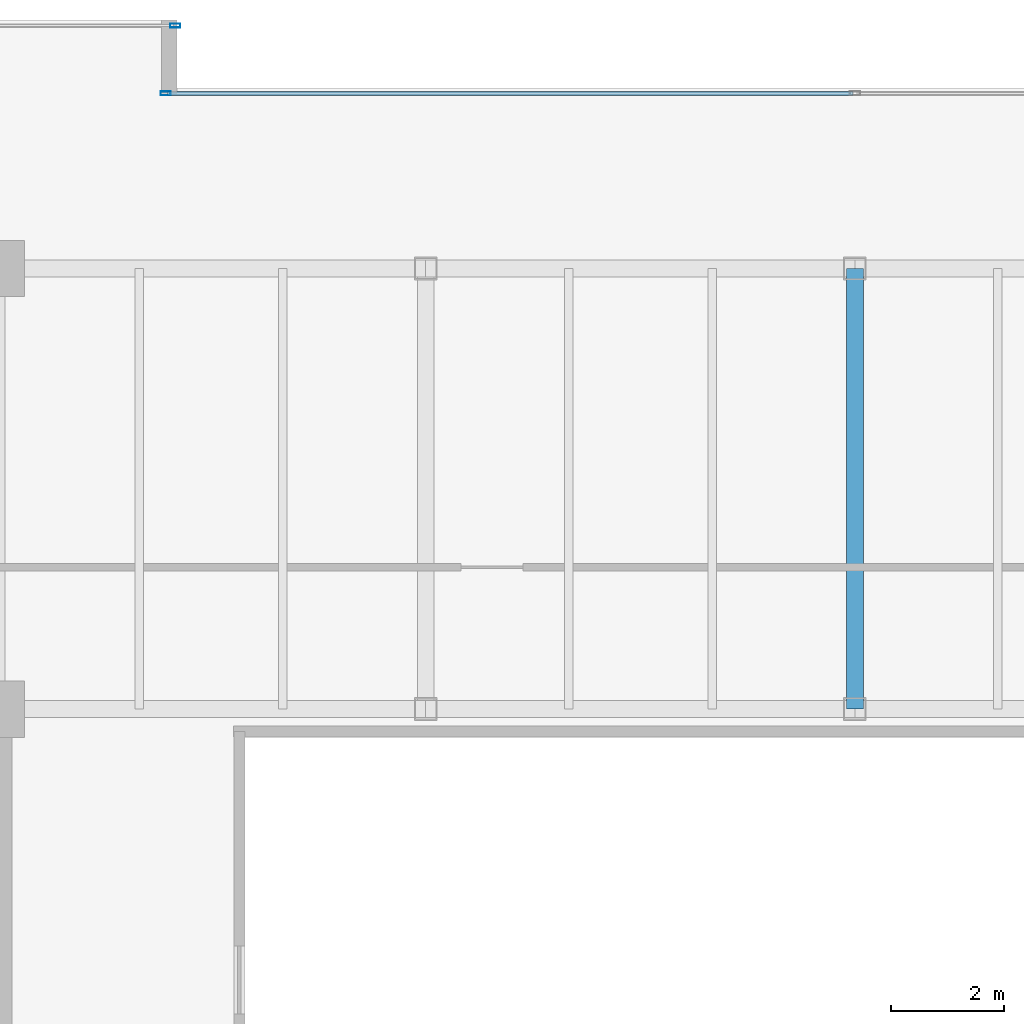
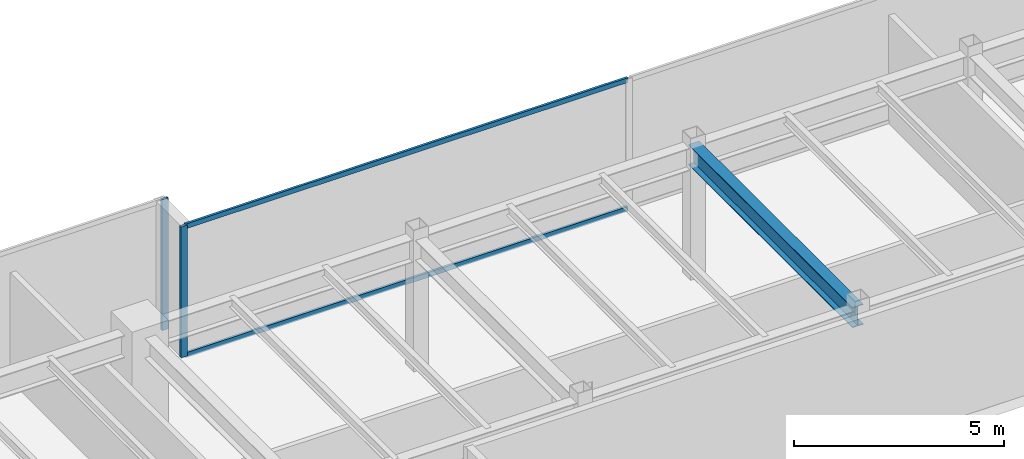
# One storey, part 17 of 33: 4 members, 1 beam, 2 elements without a shape of their own.
"""IFC4 building model written with IfcOpenShell, lengths in metres."""

from ifc_helpers import new_model, si_unit, direction, frame, origin, origin_2d, place, context, subcontext, project, spatial, hollow_rectangle, i_section, extrude, source, transform, mapped, material, layer, layer_set, material_profile, profile_set, type_object, type_shapes, element, aggregate, save


model = new_model("IFC4")

# Units and contexts
model_context = context("Model", 3, precision=1e-05, world=origin(), true_north=direction((0.0, 1.0)))
body_context = subcontext(model_context, "Body", "Model", "MODEL_VIEW")
ifc_project = project(units=[si_unit("LENGTHUNIT", "METRE"), si_unit("AREAUNIT", "SQUARE_METRE"), si_unit("VOLUMEUNIT", "CUBIC_METRE"), si_unit("PLANEANGLEUNIT", "RADIAN"), si_unit("MASSUNIT", "GRAM", prefix="KILO")], contexts=[model_context])

# Site, building, storey
site_placement = place(None, origin())
site = spatial("IfcSite", under=ifc_project, at=site_placement, CompositionType="ELEMENT")
building_placement = place(site_placement, origin())
building = spatial("IfcBuilding", under=site, at=building_placement, Name="Haelvirn Gate Laboratories", CompositionType="ELEMENT")
storey_placement = place(building_placement, frame((0.0, 0.0, 238.300048828125)))
storey = spatial("IfcBuildingStorey", under=building, at=storey_placement, Name="L57", CompositionType="ELEMENT", Elevation=238.300048828125)

# Beam
ifc_material_1 = material(Name="Steel SM355", Category="steel")
ifc_material_profile_1 = material_profile(ifc_material_1, i_section(OverallWidth=0.300048828125, OverallDepth=0.587890625, WebThickness=0.011962890625, FlangeThickness=0.02001953125, at=origin_2d()), Name="H-588x300x12x20")
ifc_profile_set_1 = profile_set([ifc_material_profile_1], Name="Steel SM355")
beam_type = type_object("IfcBeamType", Name="BM-G-588", PredefinedType="BEAM", material=ifc_profile_set_1)
shared_shape_1 = source(origin(), body_context, "Body", "SweptSolid", [
    extrude(i_section(OverallWidth=0.300048828125, OverallDepth=0.587890625, WebThickness=0.011962890625, FlangeThickness=0.02001953125, at=origin_2d()), origin(), (0.0, 0.0, 1.0), 7.800048828125),
])
type_shapes(beam_type, [shared_shape_1])
beam_placement = place(storey_placement, frame((37.39990234375, 33.800048828125, 3.505859375), z_axis=(0.0, 1.0, 0.0), x_axis=(-1.0, 0.0, 0.0)))
element("IfcBeam", 1, at=beam_placement, inside=storey, type_object=beam_type, Name="L57 Frame Girder X37.4 (33.8-41.6)", PredefinedType="BEAM", context=body_context, shape_type="MappedRepresentation", body=[
    mapped(shared_shape_1, transform((0.0, 0.0, 0.0), scale=1.0)),
])

# Curtain wall, members
ifc_material_2 = material(Name="Anodised bronze unitised aluminium & triple low-E glass", Category="aluminium")
ifc_layer = layer(ifc_material_2, 0.176025390625, Name="CW-SYS-4")
ifc_layer_set = layer_set([ifc_layer], Name="Anodised bronze unitised aluminium & triple low-E glass")
curtain_wall_type = type_object("IfcCurtainWallType", Name="CW-SYS-4", PredefinedType="NOTDEFINED", material=ifc_layer_set)
curtain_wall_1_placement = place(storey_placement, origin())
curtain_wall_1 = element("IfcCurtainWall", 2, at=curtain_wall_1_placement, inside=storey, type_object=curtain_wall_type, Name="L57 Unitised Curtain Wall CW-L57-P0-E12-1", PredefinedType="NOTDEFINED")
ifc_material_3 = material(Name="Extruded aluminium 6063-T6 (anodised bronze)", Category="aluminium")
ifc_material_profile_2 = material_profile(ifc_material_3, hollow_rectangle(XDim=0.06494140625, YDim=0.139892578125, WallThickness=0.00390625, at=origin_2d()), Name="CWT-140x65x4")
ifc_profile_set_2 = profile_set([ifc_material_profile_2], Name="Extruded aluminium 6063-T6 (anodised bronze)")
member_type_1 = type_object("IfcMemberType", Name="CWT-T140", PredefinedType="USERDEFINED", material=ifc_profile_set_2)
shared_shape_2 = source(origin(), body_context, "Body", "SweptSolid", [
    extrude(hollow_rectangle(XDim=0.06494140625, YDim=0.139892578125, WallThickness=0.00390625, at=origin_2d()), origin(), (0.0, 0.0, 1.0), 12.135009765625),
])
type_shapes(member_type_1, [shared_shape_2])
member_1_placement = place(storey_placement, frame((25.22998046875, 44.699951171875, 0.032470703125), z_axis=(1.0, 0.0, 0.0), x_axis=(0.0, 1.0, 0.0)))
member_1 = element("IfcMember", 3, at=member_1_placement, type_object=member_type_1, Name="CW4 transom 1.1", ObjectType="TRANSOM", PredefinedType="USERDEFINED", context=body_context, shape_type="MappedRepresentation", body=[
    mapped(shared_shape_2, transform((0.0, 0.0, 0.0), scale=1.0)),
])
member_2_placement = place(storey_placement, frame((25.22998046875, 44.699951171875, 3.767333984375), z_axis=(1.0, 0.0, 0.0), x_axis=(0.0, 1.0, 0.0)))
member_2 = element("IfcMember", 4, at=member_2_placement, type_object=member_type_1, Name="CW4 transom 1.2", ObjectType="TRANSOM", PredefinedType="USERDEFINED", context=body_context, shape_type="MappedRepresentation", body=[
    mapped(shared_shape_2, transform((0.0, 0.0, 0.0), scale=1.0)),
])
ifc_material_profile_3 = material_profile(ifc_material_3, hollow_rectangle(XDim=0.070068359375, YDim=0.179931640625, WallThickness=0.0048828125, at=origin_2d()), Name="CWM-180x70x5")
ifc_profile_set_3 = profile_set([ifc_material_profile_3], Name="Extruded aluminium 6063-T6 (anodised bronze)")
member_type_2 = type_object("IfcMemberType", Name="CWM-T180", PredefinedType="MULLION", material=ifc_profile_set_3)
shared_shape_3 = source(origin(), body_context, "Body", "SweptSolid", [
    extrude(hollow_rectangle(XDim=0.070068359375, YDim=0.179931640625, WallThickness=0.0048828125, at=origin_2d()), origin(), (0.0, 0.0, 1.0), 3.800048828125),
])
type_shapes(member_type_2, [shared_shape_3])
member_3_placement = place(storey_placement, frame((25.195068359375, 44.699951171875, 0.0), z_axis=(0.0, 0.0, 1.0), x_axis=(0.0, 1.0, 0.0)))
member_3 = element("IfcMember", 5, at=member_3_placement, type_object=member_type_2, Name="CW4 mullion 1", PredefinedType="MULLION", context=body_context, shape_type="MappedRepresentation", body=[
    mapped(shared_shape_3, transform((0.0, 0.0, 0.0), scale=1.0)),
])
aggregate(curtain_wall_1, [member_3, member_1, member_2])

# Curtain wall, member
curtain_wall_2_placement = place(storey_placement, origin())
curtain_wall_2 = element("IfcCurtainWall", 6, at=curtain_wall_2_placement, inside=storey, type_object=curtain_wall_type, Name="L57 Unitised Curtain Wall CW-L57-P0-E14-1", PredefinedType="NOTDEFINED")
member_4_placement = place(storey_placement, frame((25.364990234375, 45.89990234375, 0.0), z_axis=(0.0, 0.0, 1.0), x_axis=(0.0, 1.0, 0.0)))
member_4 = element("IfcMember", 7, at=member_4_placement, type_object=member_type_2, Name="CW4 mullion 3", PredefinedType="MULLION", context=body_context, shape_type="MappedRepresentation", body=[
    mapped(shared_shape_3, transform((0.0, 0.0, 0.0), scale=1.0)),
])
aggregate(curtain_wall_2, [member_4])

save(model, "model.ifc")
